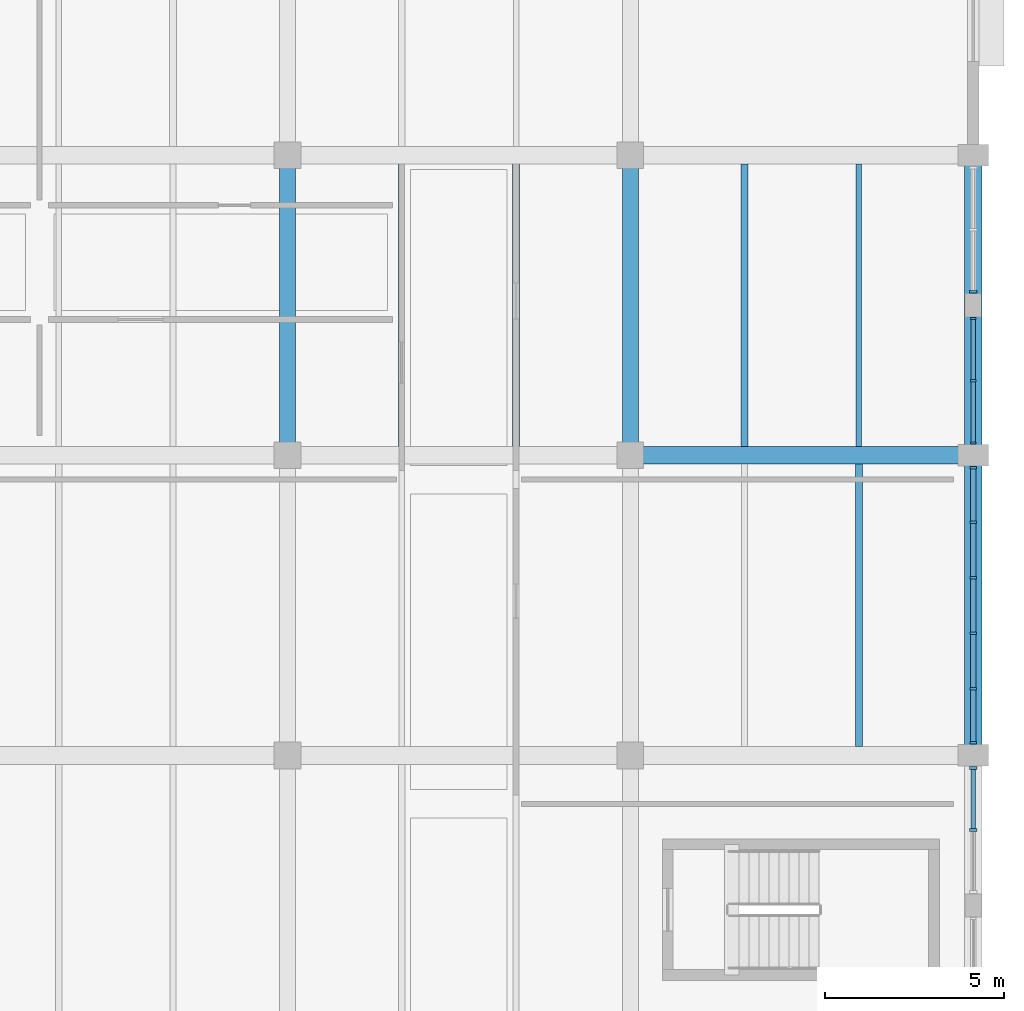
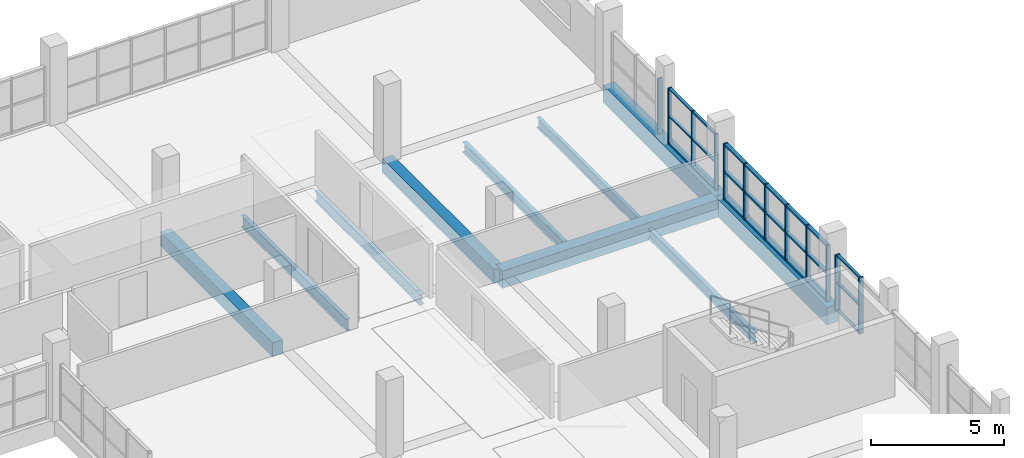
# One storey, part 71 of 147: 36 members, 10 beams, 4 elements without a shape of their own.
"""IFC4 building model written with IfcOpenShell, lengths in metres."""

from ifc_helpers import new_model, si_unit, direction, frame, origin, origin_2d, place, context, subcontext, project, spatial, rectangle, i_section, extrude, material, material_profile, profile_set, type_object, element, aggregate, save


model = new_model("IFC4")

# Units and contexts
model_context = context("Model", 3, precision=1e-05, world=origin(), true_north=direction((0.0, 1.0)))
body_context = subcontext(model_context, "Body", "Model", "MODEL_VIEW")
ifc_project = project(units=[si_unit("LENGTHUNIT", "METRE"), si_unit("AREAUNIT", "SQUARE_METRE"), si_unit("VOLUMEUNIT", "CUBIC_METRE"), si_unit("PLANEANGLEUNIT", "RADIAN"), si_unit("MASSUNIT", "GRAM", prefix="KILO")], contexts=[model_context])

# Site, building, storey
site_placement = place(None, origin())
site = spatial("IfcSite", under=ifc_project, at=site_placement, CompositionType="ELEMENT")
building_placement = place(site_placement, origin())
building = spatial("IfcBuilding", under=site, at=building_placement, Name="Oolite Switchyard Hospital", CompositionType="ELEMENT")
storey_placement = place(building_placement, frame((0.0, 0.0, 9.89990234375)))
storey = spatial("IfcBuildingStorey", under=building, at=storey_placement, Name="L02", CompositionType="ELEMENT", Elevation=9.89990234375)

# Beams
ifc_material_1 = material(Name="Concrete C40/50", Category="concrete")
ifc_material_profile_1 = material_profile(ifc_material_1, rectangle(XDim=0.449951171875, YDim=0.64990234375, at=origin_2d()), Name="RCB450X650")
ifc_profile_set_1 = profile_set([ifc_material_profile_1], Name="Concrete C40/50")
beam_type_1 = type_object("IfcBeamType", Name="BM-RC450X650", PredefinedType="BEAM", material=ifc_profile_set_1)
for number, where, z_axis, x_axis, name in (
    (1, (192.0, 58.800048828125, -0.324951171875), (0.0, 1.0, 0.0), (-1.0, 0.0, 0.0), "L02 Y-Girder 1485"),
    (2, (201.60009765625, 58.800048828125, -0.324951171875), (0.0, 1.0, 0.0), (-1.0, 0.0, 0.0), "L02 Y-Girder 1497"),
):
    element("IfcBeam", number, at=place(storey_placement, frame(where, z_axis=z_axis, x_axis=x_axis)), inside=storey, type_object=beam_type_1, Name=name, PredefinedType="BEAM", context=body_context, shape_type="SweptSolid", body=[
        extrude(rectangle(XDim=0.449951171875, YDim=0.64990234375, at=origin_2d()), origin(), (0.0, 0.0, 1.0), 8.39990234375),
    ])
ifc_material_profile_2 = material_profile(ifc_material_1, rectangle(XDim=0.5, YDim=0.800048828125, at=origin_2d()), Name="RCB500X800")
ifc_profile_set_2 = profile_set([ifc_material_profile_2], Name="Concrete C40/50")
beam_type_2 = type_object("IfcBeamType", Name="BM-RC500X800", PredefinedType="BEAM", material=ifc_profile_set_2)
beam_1_placement = place(storey_placement, frame((201.60009765625, 58.800048828125, -0.39990234375), z_axis=(1.0, 0.0, 0.0), x_axis=(0.0, 1.0, 0.0)))
element("IfcBeam", 3, at=beam_1_placement, inside=storey, type_object=beam_type_2, Name="L02 X-Girder 1093", PredefinedType="BEAM", context=body_context, shape_type="SweptSolid", body=[
    extrude(rectangle(XDim=0.5, YDim=0.800048828125, at=origin_2d()), origin(), (0.0, 0.0, 1.0), 9.599853515625),
])
beam_2_placement = place(storey_placement, frame((211.199951171875, 50.39990234375, -0.39990234375), z_axis=(0.0, 1.0, 0.0), x_axis=(-1.0, 0.0, 0.0)))
element("IfcBeam", 4, at=beam_2_placement, inside=storey, type_object=beam_type_2, Name="L02 Y-Girder 1506", PredefinedType="BEAM", context=body_context, shape_type="SweptSolid", body=[
    extrude(rectangle(XDim=0.5, YDim=0.800048828125, at=origin_2d()), origin(), (0.0, 0.0, 1.0), 8.400146484375),
])
beam_3_placement = place(storey_placement, frame((211.199951171875, 58.800048828125, -0.39990234375), z_axis=(0.0, 1.0, 0.0), x_axis=(-1.0, 0.0, 0.0)))
element("IfcBeam", 5, at=beam_3_placement, inside=storey, type_object=beam_type_2, Name="L02 Y-Girder 1507", PredefinedType="BEAM", context=body_context, shape_type="SweptSolid", body=[
    extrude(rectangle(XDim=0.5, YDim=0.800048828125, at=origin_2d()), origin(), (0.0, 0.0, 1.0), 8.39990234375),
])
ifc_material_2 = material(Name="Steel ASTM A992 Grade 50", Category="steel")
ifc_material_profile_3 = material_profile(ifc_material_2, i_section(OverallWidth=0.153076171875, OverallDepth=0.455078125, WebThickness=0.008056640625, FlangeThickness=0.012939453125, at=origin_2d()), Name="W18X40")
ifc_profile_set_3 = profile_set([ifc_material_profile_3], Name="Steel ASTM A992 Grade 50")
beam_type_3 = type_object("IfcBeamType", Name="BM-W18X40", PredefinedType="JOIST", material=ifc_profile_set_3)
beam_4_placement = place(storey_placement, frame((208.0, 59.050048828125, -0.48681640625), z_axis=(0.0, 1.0, 0.0), x_axis=(-1.0, 0.0, 0.0)))
element("IfcBeam", 6, at=beam_4_placement, inside=storey, type_object=beam_type_3, Name="L02 Secondary Steel Joist 1917", PredefinedType="JOIST", context=body_context, shape_type="SweptSolid", body=[
    extrude(i_section(OverallWidth=0.153076171875, OverallDepth=0.455078125, WebThickness=0.008056640625, FlangeThickness=0.012939453125, at=origin_2d()), origin(), (0.0, 0.0, 1.0), 7.89990234375),
])
ifc_material_profile_4 = material_profile(ifc_material_2, i_section(OverallWidth=0.19091796875, OverallDepth=0.4599609375, WebThickness=0.010009765625, FlangeThickness=0.01611328125, at=origin_2d()), Name="W18X55")
ifc_profile_set_4 = profile_set([ifc_material_profile_4], Name="Steel ASTM A992 Grade 50")
beam_type_4 = type_object("IfcBeamType", Name="BM-W18X55", PredefinedType="JOIST", material=ifc_profile_set_4)
beam_5_placement = place(storey_placement, frame((198.39990234375, 59.050048828125, -0.489990234375), z_axis=(0.0, 1.0, 0.0), x_axis=(-1.0, 0.0, 0.0)))
element("IfcBeam", 7, at=beam_5_placement, inside=storey, type_object=beam_type_4, Name="L02 Secondary Steel Joist 1901", PredefinedType="JOIST", context=body_context, shape_type="SweptSolid", body=[
    extrude(i_section(OverallWidth=0.19091796875, OverallDepth=0.4599609375, WebThickness=0.010009765625, FlangeThickness=0.01611328125, at=origin_2d()), origin(), (0.0, 0.0, 1.0), 7.89990234375),
])
beam_6_placement = place(storey_placement, frame((208.0, 50.64990234375, -0.489990234375), z_axis=(0.0, 1.0, 0.0), x_axis=(-1.0, 0.0, 0.0)))
element("IfcBeam", 8, at=beam_6_placement, inside=storey, type_object=beam_type_4, Name="L02 Secondary Steel Joist 1915", PredefinedType="JOIST", context=body_context, shape_type="SweptSolid", body=[
    extrude(i_section(OverallWidth=0.19091796875, OverallDepth=0.4599609375, WebThickness=0.010009765625, FlangeThickness=0.01611328125, at=origin_2d()), origin(), (0.0, 0.0, 1.0), 7.900146484375),
])
beam_7_placement = place(storey_placement, frame((204.800048828125, 59.050048828125, -0.489990234375), z_axis=(0.0, 1.0, 0.0), x_axis=(-1.0, 0.0, 0.0)))
element("IfcBeam", 9, at=beam_7_placement, inside=storey, type_object=beam_type_4, Name="L02 Secondary Steel Joist 1916", PredefinedType="JOIST", context=body_context, shape_type="SweptSolid", body=[
    extrude(i_section(OverallWidth=0.19091796875, OverallDepth=0.4599609375, WebThickness=0.010009765625, FlangeThickness=0.01611328125, at=origin_2d()), origin(), (0.0, 0.0, 1.0), 7.89990234375),
])
ifc_material_profile_5 = material_profile(ifc_material_2, i_section(OverallWidth=0.166015625, OverallDepth=0.529052734375, WebThickness=0.010009765625, FlangeThickness=0.013916015625, at=origin_2d()), Name="W21X50")
ifc_profile_set_5 = profile_set([ifc_material_profile_5], Name="Steel ASTM A992 Grade 50")
beam_type_5 = type_object("IfcBeamType", Name="BM-W21X50", PredefinedType="JOIST", material=ifc_profile_set_5)
beam_8_placement = place(storey_placement, frame((195.199951171875, 59.050048828125, -0.52392578125), z_axis=(0.0, 1.0, 0.0), x_axis=(-1.0, 0.0, 0.0)))
element("IfcBeam", 10, at=beam_8_placement, inside=storey, type_object=beam_type_5, Name="L02 Secondary Steel Joist 1900", PredefinedType="JOIST", context=body_context, shape_type="SweptSolid", body=[
    extrude(i_section(OverallWidth=0.166015625, OverallDepth=0.529052734375, WebThickness=0.010009765625, FlangeThickness=0.013916015625, at=origin_2d()), origin(), (0.0, 0.0, 1.0), 7.89990234375),
])

# Curtain wall, members
ifc_material_3 = material(Name="Thermally broken aluminum frame with laminated impact glazing", Category="aluminium")
curtain_wall_type = type_object("IfcCurtainWallType", Name="CW-UNIT-84X36", PredefinedType="USERDEFINED", material=ifc_material_3)
curtain_wall_1_placement = place(storey_placement, origin())
curtain_wall_1 = element("IfcCurtainWall", 11, at=curtain_wall_1_placement, inside=storey, type_object=curtain_wall_type, Name="L02 Unitised Curtain Wall 316", ObjectType="UNITISED", PredefinedType="USERDEFINED")
ifc_material_4 = material(Name="Aluminium 6063-T6", Category="aluminium")
ifc_material_profile_6 = material_profile(ifc_material_4, rectangle(XDim=0.159912109375, YDim=0.06005859375, at=origin_2d()), Name="CWM60X160")
ifc_profile_set_6 = profile_set([ifc_material_profile_6], Name="Aluminium 6063-T6")
member_type_1 = type_object("IfcMemberType", Name="CW-MUL-180", PredefinedType="MULLION", material=ifc_profile_set_6)
member_1_placement = place(storey_placement, frame((211.199951171875, 62.6298828125, 0.0), z_axis=(0.0, 0.0, 1.0), x_axis=(1.0, 0.0, 0.0)))
member_1 = element("IfcMember", 12, at=member_1_placement, type_object=member_type_1, Name="CW-08 mullion 1", PredefinedType="MULLION", context=body_context, shape_type="SweptSolid", body=[
    extrude(rectangle(XDim=0.159912109375, YDim=0.06005859375, at=origin_2d()), origin(), (0.0, 0.0, 1.0), 2.570068359375),
])
member_2_placement = place(storey_placement, frame((211.199951171875, 60.887451171875, 0.0), z_axis=(0.0, 0.0, 1.0), x_axis=(1.0, 0.0, 0.0)))
member_2 = element("IfcMember", 13, at=member_2_placement, type_object=member_type_1, Name="CW-08 mullion 2", PredefinedType="MULLION", context=body_context, shape_type="SweptSolid", body=[
    extrude(rectangle(XDim=0.159912109375, YDim=0.06005859375, at=origin_2d()), origin(), (0.0, 0.0, 1.0), 2.570068359375),
])
member_3_placement = place(storey_placement, frame((211.199951171875, 59.14501953125, 0.0), z_axis=(0.0, 0.0, 1.0), x_axis=(1.0, 0.0, 0.0)))
member_3 = element("IfcMember", 14, at=member_3_placement, type_object=member_type_1, Name="CW-08 mullion 3", PredefinedType="MULLION", context=body_context, shape_type="SweptSolid", body=[
    extrude(rectangle(XDim=0.159912109375, YDim=0.06005859375, at=origin_2d()), origin(), (0.0, 0.0, 1.0), 2.570068359375),
])

curtain_wall_2_placement = place(storey_placement, origin())
curtain_wall_2 = element("IfcCurtainWall", 15, at=curtain_wall_2_placement, inside=storey, type_object=curtain_wall_type, Name="L02 Unitised Curtain Wall 317", ObjectType="UNITISED", PredefinedType="USERDEFINED")
ifc_material_profile_7 = material_profile(ifc_material_4, rectangle(XDim=0.179931640625, YDim=0.070068359375, at=origin_2d()), Name="CWM70X180")
ifc_profile_set_7 = profile_set([ifc_material_profile_7], Name="Aluminium 6063-T6")
member_type_2 = type_object("IfcMemberType", Name="CW-MUL-220", PredefinedType="MULLION", material=ifc_profile_set_7)
member_4_placement = place(storey_placement, frame((211.199951171875, 58.449951171875, 0.0), z_axis=(0.0, 0.0, 1.0), x_axis=(1.0, 0.0, 0.0)))
member_4 = element("IfcMember", 16, at=member_4_placement, type_object=member_type_2, Name="CW-08 mullion 1", PredefinedType="MULLION", context=body_context, shape_type="SweptSolid", body=[
    extrude(rectangle(XDim=0.179931640625, YDim=0.070068359375, at=origin_2d()), origin(), (0.0, 0.0, 1.0), 2.570068359375),
])
member_5_placement = place(storey_placement, frame((211.199951171875, 56.930908203125, 0.0), z_axis=(0.0, 0.0, 1.0), x_axis=(1.0, 0.0, 0.0)))
member_5 = element("IfcMember", 17, at=member_5_placement, type_object=member_type_2, Name="CW-08 mullion 2", PredefinedType="MULLION", context=body_context, shape_type="SweptSolid", body=[
    extrude(rectangle(XDim=0.179931640625, YDim=0.070068359375, at=origin_2d()), origin(), (0.0, 0.0, 1.0), 2.570068359375),
])
member_6_placement = place(storey_placement, frame((211.199951171875, 55.376953125, 0.0), z_axis=(0.0, 0.0, 1.0), x_axis=(1.0, 0.0, 0.0)))
member_6 = element("IfcMember", 18, at=member_6_placement, type_object=member_type_2, Name="CW-08 mullion 3", PredefinedType="MULLION", context=body_context, shape_type="SweptSolid", body=[
    extrude(rectangle(XDim=0.179931640625, YDim=0.070068359375, at=origin_2d()), origin(), (0.0, 0.0, 1.0), 2.570068359375),
])
member_7_placement = place(storey_placement, frame((211.199951171875, 53.822998046875, 0.0), z_axis=(0.0, 0.0, 1.0), x_axis=(1.0, 0.0, 0.0)))
member_7 = element("IfcMember", 19, at=member_7_placement, type_object=member_type_2, Name="CW-08 mullion 4", PredefinedType="MULLION", context=body_context, shape_type="SweptSolid", body=[
    extrude(rectangle(XDim=0.179931640625, YDim=0.070068359375, at=origin_2d()), origin(), (0.0, 0.0, 1.0), 2.570068359375),
])
member_8_placement = place(storey_placement, frame((211.199951171875, 52.26904296875, 0.0), z_axis=(0.0, 0.0, 1.0), x_axis=(1.0, 0.0, 0.0)))
member_8 = element("IfcMember", 20, at=member_8_placement, type_object=member_type_2, Name="CW-08 mullion 5", PredefinedType="MULLION", context=body_context, shape_type="SweptSolid", body=[
    extrude(rectangle(XDim=0.179931640625, YDim=0.070068359375, at=origin_2d()), origin(), (0.0, 0.0, 1.0), 2.570068359375),
])
member_9_placement = place(storey_placement, frame((211.199951171875, 50.75, 0.0), z_axis=(0.0, 0.0, 1.0), x_axis=(1.0, 0.0, 0.0)))
member_9 = element("IfcMember", 21, at=member_9_placement, type_object=member_type_2, Name="CW-08 mullion 6", PredefinedType="MULLION", context=body_context, shape_type="SweptSolid", body=[
    extrude(rectangle(XDim=0.179931640625, YDim=0.070068359375, at=origin_2d()), origin(), (0.0, 0.0, 1.0), 2.570068359375),
])

# Curtain wall, member
curtain_wall_3_placement = place(storey_placement, origin())
curtain_wall_3 = element("IfcCurtainWall", 22, at=curtain_wall_3_placement, inside=storey, type_object=curtain_wall_type, Name="L02 Unitised Curtain Wall 315", ObjectType="UNITISED", PredefinedType="USERDEFINED")
ifc_material_profile_8 = material_profile(ifc_material_4, rectangle(XDim=0.199951171875, YDim=0.074951171875, at=origin_2d()), Name="CWM75X200")
ifc_profile_set_8 = profile_set([ifc_material_profile_8], Name="Aluminium 6063-T6")
member_type_3 = type_object("IfcMemberType", Name="CW-MUL-260", PredefinedType="MULLION", material=ifc_profile_set_8)
member_10_placement = place(storey_placement, frame((211.199951171875, 63.37744140625, 0.0), z_axis=(0.0, 0.0, 1.0), x_axis=(1.0, 0.0, 0.0)))
member_10 = element("IfcMember", 23, at=member_10_placement, type_object=member_type_3, Name="CW-08 mullion 3", PredefinedType="MULLION", context=body_context, shape_type="SweptSolid", body=[
    extrude(rectangle(XDim=0.199951171875, YDim=0.074951171875, at=origin_2d()), origin(), (0.0, 0.0, 1.0), 2.570068359375),
])
aggregate(curtain_wall_3, [member_10])

# Curtain wall, members
curtain_wall_4_placement = place(storey_placement, origin())
curtain_wall_4 = element("IfcCurtainWall", 24, at=curtain_wall_4_placement, inside=storey, type_object=curtain_wall_type, Name="L02 Unitised Curtain Wall 318", ObjectType="UNITISED", PredefinedType="USERDEFINED")
member_11_placement = place(storey_placement, frame((211.199951171875, 50.047607421875, 0.0), z_axis=(0.0, 0.0, 1.0), x_axis=(1.0, 0.0, 0.0)))
member_11 = element("IfcMember", 25, at=member_11_placement, type_object=member_type_3, Name="CW-08 mullion 1", PredefinedType="MULLION", context=body_context, shape_type="SweptSolid", body=[
    extrude(rectangle(XDim=0.199951171875, YDim=0.074951171875, at=origin_2d()), origin(), (0.0, 0.0, 1.0), 2.570068359375),
])
member_12_placement = place(storey_placement, frame((211.199951171875, 48.3125, 0.0), z_axis=(0.0, 0.0, 1.0), x_axis=(1.0, 0.0, 0.0)))
member_12 = element("IfcMember", 26, at=member_12_placement, type_object=member_type_3, Name="CW-08 mullion 2", PredefinedType="MULLION", context=body_context, shape_type="SweptSolid", body=[
    extrude(rectangle(XDim=0.199951171875, YDim=0.074951171875, at=origin_2d()), origin(), (0.0, 0.0, 1.0), 2.570068359375),
])

# Member
ifc_material_profile_9 = material_profile(ifc_material_4, rectangle(XDim=0.1201171875, YDim=0.06005859375, at=origin_2d()), Name="CWT60X120")
ifc_profile_set_9 = profile_set([ifc_material_profile_9], Name="Aluminium 6063-T6")
member_type_4 = type_object("IfcMemberType", Name="CW-TRN-150", PredefinedType="USERDEFINED", material=ifc_profile_set_9)
member_13_placement = place(storey_placement, frame((211.199951171875, 62.60009765625, 0.030029296875), z_axis=(0.0, -1.0, 0.0), x_axis=(1.0, 0.0, 0.0)))
member_13 = element("IfcMember", 27, at=member_13_placement, type_object=member_type_4, Name="CW-08 transom 1.1", ObjectType="TRANSOM", PredefinedType="USERDEFINED", context=body_context, shape_type="SweptSolid", body=[
    extrude(rectangle(XDim=0.1201171875, YDim=0.06005859375, at=origin_2d()), origin(), (0.0, 0.0, 1.0), 1.6826171875),
])

member_14_placement = place(storey_placement, frame((211.199951171875, 62.60009765625, 1.28515625), z_axis=(0.0, -1.0, 0.0), x_axis=(1.0, 0.0, 0.0)))
member_14 = element("IfcMember", 28, at=member_14_placement, type_object=member_type_4, Name="CW-08 transom 1.2", ObjectType="TRANSOM", PredefinedType="USERDEFINED", context=body_context, shape_type="SweptSolid", body=[
    extrude(rectangle(XDim=0.1201171875, YDim=0.06005859375, at=origin_2d()), origin(), (0.0, 0.0, 1.0), 1.6826171875),
])

member_15_placement = place(storey_placement, frame((211.199951171875, 62.60009765625, 2.5400390625), z_axis=(0.0, -1.0, 0.0), x_axis=(1.0, 0.0, 0.0)))
member_15 = element("IfcMember", 29, at=member_15_placement, type_object=member_type_4, Name="CW-08 transom 1.3", ObjectType="TRANSOM", PredefinedType="USERDEFINED", context=body_context, shape_type="SweptSolid", body=[
    extrude(rectangle(XDim=0.1201171875, YDim=0.06005859375, at=origin_2d()), origin(), (0.0, 0.0, 1.0), 1.6826171875),
])

member_16_placement = place(storey_placement, frame((211.199951171875, 60.857421875, 0.030029296875), z_axis=(0.0, -1.0, 0.0), x_axis=(1.0, 0.0, 0.0)))
member_16 = element("IfcMember", 30, at=member_16_placement, type_object=member_type_4, Name="CW-08 transom 2.1", ObjectType="TRANSOM", PredefinedType="USERDEFINED", context=body_context, shape_type="SweptSolid", body=[
    extrude(rectangle(XDim=0.1201171875, YDim=0.06005859375, at=origin_2d()), origin(), (0.0, 0.0, 1.0), 1.682373046875),
])

member_17_placement = place(storey_placement, frame((211.199951171875, 60.857421875, 1.28515625), z_axis=(0.0, -1.0, 0.0), x_axis=(1.0, 0.0, 0.0)))
member_17 = element("IfcMember", 31, at=member_17_placement, type_object=member_type_4, Name="CW-08 transom 2.2", ObjectType="TRANSOM", PredefinedType="USERDEFINED", context=body_context, shape_type="SweptSolid", body=[
    extrude(rectangle(XDim=0.1201171875, YDim=0.06005859375, at=origin_2d()), origin(), (0.0, 0.0, 1.0), 1.682373046875),
])

member_18_placement = place(storey_placement, frame((211.199951171875, 60.857421875, 2.5400390625), z_axis=(0.0, -1.0, 0.0), x_axis=(1.0, 0.0, 0.0)))
member_18 = element("IfcMember", 32, at=member_18_placement, type_object=member_type_4, Name="CW-08 transom 2.3", ObjectType="TRANSOM", PredefinedType="USERDEFINED", context=body_context, shape_type="SweptSolid", body=[
    extrude(rectangle(XDim=0.1201171875, YDim=0.06005859375, at=origin_2d()), origin(), (0.0, 0.0, 1.0), 1.682373046875),
])

aggregate(curtain_wall_1, [member_1, member_2, member_3, member_13, member_14, member_15, member_16, member_17, member_18])

member_19_placement = place(storey_placement, frame((211.199951171875, 50.010009765625, 0.030029296875), z_axis=(0.0, -1.0, 0.0), x_axis=(1.0, 0.0, 0.0)))
member_19 = element("IfcMember", 33, at=member_19_placement, type_object=member_type_4, Name="CW-08 transom 1.1", ObjectType="TRANSOM", PredefinedType="USERDEFINED", context=body_context, shape_type="SweptSolid", body=[
    extrude(rectangle(XDim=0.1201171875, YDim=0.06005859375, at=origin_2d()), origin(), (0.0, 0.0, 1.0), 1.659912109375),
])

member_20_placement = place(storey_placement, frame((211.199951171875, 50.010009765625, 1.28515625), z_axis=(0.0, -1.0, 0.0), x_axis=(1.0, 0.0, 0.0)))
member_20 = element("IfcMember", 34, at=member_20_placement, type_object=member_type_4, Name="CW-08 transom 1.2", ObjectType="TRANSOM", PredefinedType="USERDEFINED", context=body_context, shape_type="SweptSolid", body=[
    extrude(rectangle(XDim=0.1201171875, YDim=0.06005859375, at=origin_2d()), origin(), (0.0, 0.0, 1.0), 1.659912109375),
])

member_21_placement = place(storey_placement, frame((211.199951171875, 50.010009765625, 2.5400390625), z_axis=(0.0, -1.0, 0.0), x_axis=(1.0, 0.0, 0.0)))
member_21 = element("IfcMember", 35, at=member_21_placement, type_object=member_type_4, Name="CW-08 transom 1.3", ObjectType="TRANSOM", PredefinedType="USERDEFINED", context=body_context, shape_type="SweptSolid", body=[
    extrude(rectangle(XDim=0.1201171875, YDim=0.06005859375, at=origin_2d()), origin(), (0.0, 0.0, 1.0), 1.659912109375),
])

aggregate(curtain_wall_4, [member_11, member_12, member_19, member_20, member_21])

ifc_material_profile_10 = material_profile(ifc_material_4, rectangle(XDim=0.159912109375, YDim=0.074951171875, at=origin_2d()), Name="CWT75X160")
ifc_profile_set_10 = profile_set([ifc_material_profile_10], Name="Aluminium 6063-T6")
member_type_5 = type_object("IfcMemberType", Name="CW-TRN-180", PredefinedType="USERDEFINED", material=ifc_profile_set_10)
member_22_placement = place(storey_placement, frame((211.199951171875, 58.4150390625, 0.03759765625), z_axis=(0.0, -1.0, 0.0), x_axis=(1.0, 0.0, 0.0)))
member_22 = element("IfcMember", 36, at=member_22_placement, type_object=member_type_5, Name="CW-08 transom 1.1", ObjectType="TRANSOM", PredefinedType="USERDEFINED", context=body_context, shape_type="SweptSolid", body=[
    extrude(rectangle(XDim=0.159912109375, YDim=0.074951171875, at=origin_2d()), origin(), (0.0, 0.0, 1.0), 1.448974609375),
])

member_23_placement = place(storey_placement, frame((211.199951171875, 58.4150390625, 1.28515625), z_axis=(0.0, -1.0, 0.0), x_axis=(1.0, 0.0, 0.0)))
member_23 = element("IfcMember", 37, at=member_23_placement, type_object=member_type_5, Name="CW-08 transom 1.2", ObjectType="TRANSOM", PredefinedType="USERDEFINED", context=body_context, shape_type="SweptSolid", body=[
    extrude(rectangle(XDim=0.159912109375, YDim=0.074951171875, at=origin_2d()), origin(), (0.0, 0.0, 1.0), 1.448974609375),
])

member_24_placement = place(storey_placement, frame((211.199951171875, 58.4150390625, 2.53271484375), z_axis=(0.0, -1.0, 0.0), x_axis=(1.0, 0.0, 0.0)))
member_24 = element("IfcMember", 38, at=member_24_placement, type_object=member_type_5, Name="CW-08 transom 1.3", ObjectType="TRANSOM", PredefinedType="USERDEFINED", context=body_context, shape_type="SweptSolid", body=[
    extrude(rectangle(XDim=0.159912109375, YDim=0.074951171875, at=origin_2d()), origin(), (0.0, 0.0, 1.0), 1.448974609375),
])

member_25_placement = place(storey_placement, frame((211.199951171875, 56.89599609375, 0.03759765625), z_axis=(0.0, -1.0, 0.0), x_axis=(1.0, 0.0, 0.0)))
member_25 = element("IfcMember", 39, at=member_25_placement, type_object=member_type_5, Name="CW-08 transom 2.1", ObjectType="TRANSOM", PredefinedType="USERDEFINED", context=body_context, shape_type="SweptSolid", body=[
    extrude(rectangle(XDim=0.159912109375, YDim=0.074951171875, at=origin_2d()), origin(), (0.0, 0.0, 1.0), 1.48388671875),
])

member_26_placement = place(storey_placement, frame((211.199951171875, 56.89599609375, 1.28515625), z_axis=(0.0, -1.0, 0.0), x_axis=(1.0, 0.0, 0.0)))
member_26 = element("IfcMember", 40, at=member_26_placement, type_object=member_type_5, Name="CW-08 transom 2.2", ObjectType="TRANSOM", PredefinedType="USERDEFINED", context=body_context, shape_type="SweptSolid", body=[
    extrude(rectangle(XDim=0.159912109375, YDim=0.074951171875, at=origin_2d()), origin(), (0.0, 0.0, 1.0), 1.48388671875),
])

member_27_placement = place(storey_placement, frame((211.199951171875, 56.89599609375, 2.53271484375), z_axis=(0.0, -1.0, 0.0), x_axis=(1.0, 0.0, 0.0)))
member_27 = element("IfcMember", 41, at=member_27_placement, type_object=member_type_5, Name="CW-08 transom 2.3", ObjectType="TRANSOM", PredefinedType="USERDEFINED", context=body_context, shape_type="SweptSolid", body=[
    extrude(rectangle(XDim=0.159912109375, YDim=0.074951171875, at=origin_2d()), origin(), (0.0, 0.0, 1.0), 1.48388671875),
])

member_28_placement = place(storey_placement, frame((211.199951171875, 55.342041015625, 0.03759765625), z_axis=(0.0, -1.0, 0.0), x_axis=(1.0, 0.0, 0.0)))
member_28 = element("IfcMember", 42, at=member_28_placement, type_object=member_type_5, Name="CW-08 transom 3.1", ObjectType="TRANSOM", PredefinedType="USERDEFINED", context=body_context, shape_type="SweptSolid", body=[
    extrude(rectangle(XDim=0.159912109375, YDim=0.074951171875, at=origin_2d()), origin(), (0.0, 0.0, 1.0), 1.484130859375),
])

member_29_placement = place(storey_placement, frame((211.199951171875, 55.342041015625, 1.28515625), z_axis=(0.0, -1.0, 0.0), x_axis=(1.0, 0.0, 0.0)))
member_29 = element("IfcMember", 43, at=member_29_placement, type_object=member_type_5, Name="CW-08 transom 3.2", ObjectType="TRANSOM", PredefinedType="USERDEFINED", context=body_context, shape_type="SweptSolid", body=[
    extrude(rectangle(XDim=0.159912109375, YDim=0.074951171875, at=origin_2d()), origin(), (0.0, 0.0, 1.0), 1.484130859375),
])

member_30_placement = place(storey_placement, frame((211.199951171875, 55.342041015625, 2.53271484375), z_axis=(0.0, -1.0, 0.0), x_axis=(1.0, 0.0, 0.0)))
member_30 = element("IfcMember", 44, at=member_30_placement, type_object=member_type_5, Name="CW-08 transom 3.3", ObjectType="TRANSOM", PredefinedType="USERDEFINED", context=body_context, shape_type="SweptSolid", body=[
    extrude(rectangle(XDim=0.159912109375, YDim=0.074951171875, at=origin_2d()), origin(), (0.0, 0.0, 1.0), 1.484130859375),
])

member_31_placement = place(storey_placement, frame((211.199951171875, 53.7880859375, 0.03759765625), z_axis=(0.0, -1.0, 0.0), x_axis=(1.0, 0.0, 0.0)))
member_31 = element("IfcMember", 45, at=member_31_placement, type_object=member_type_5, Name="CW-08 transom 4.1", ObjectType="TRANSOM", PredefinedType="USERDEFINED", context=body_context, shape_type="SweptSolid", body=[
    extrude(rectangle(XDim=0.159912109375, YDim=0.074951171875, at=origin_2d()), origin(), (0.0, 0.0, 1.0), 1.484130859375),
])

member_32_placement = place(storey_placement, frame((211.199951171875, 53.7880859375, 1.28515625), z_axis=(0.0, -1.0, 0.0), x_axis=(1.0, 0.0, 0.0)))
member_32 = element("IfcMember", 46, at=member_32_placement, type_object=member_type_5, Name="CW-08 transom 4.2", ObjectType="TRANSOM", PredefinedType="USERDEFINED", context=body_context, shape_type="SweptSolid", body=[
    extrude(rectangle(XDim=0.159912109375, YDim=0.074951171875, at=origin_2d()), origin(), (0.0, 0.0, 1.0), 1.484130859375),
])

member_33_placement = place(storey_placement, frame((211.199951171875, 53.7880859375, 2.53271484375), z_axis=(0.0, -1.0, 0.0), x_axis=(1.0, 0.0, 0.0)))
member_33 = element("IfcMember", 47, at=member_33_placement, type_object=member_type_5, Name="CW-08 transom 4.3", ObjectType="TRANSOM", PredefinedType="USERDEFINED", context=body_context, shape_type="SweptSolid", body=[
    extrude(rectangle(XDim=0.159912109375, YDim=0.074951171875, at=origin_2d()), origin(), (0.0, 0.0, 1.0), 1.484130859375),
])

member_34_placement = place(storey_placement, frame((211.199951171875, 52.23388671875, 0.03759765625), z_axis=(0.0, -1.0, 0.0), x_axis=(1.0, 0.0, 0.0)))
member_34 = element("IfcMember", 48, at=member_34_placement, type_object=member_type_5, Name="CW-08 transom 5.1", ObjectType="TRANSOM", PredefinedType="USERDEFINED", context=body_context, shape_type="SweptSolid", body=[
    extrude(rectangle(XDim=0.159912109375, YDim=0.074951171875, at=origin_2d()), origin(), (0.0, 0.0, 1.0), 1.448974609375),
])

member_35_placement = place(storey_placement, frame((211.199951171875, 52.23388671875, 1.28515625), z_axis=(0.0, -1.0, 0.0), x_axis=(1.0, 0.0, 0.0)))
member_35 = element("IfcMember", 49, at=member_35_placement, type_object=member_type_5, Name="CW-08 transom 5.2", ObjectType="TRANSOM", PredefinedType="USERDEFINED", context=body_context, shape_type="SweptSolid", body=[
    extrude(rectangle(XDim=0.159912109375, YDim=0.074951171875, at=origin_2d()), origin(), (0.0, 0.0, 1.0), 1.448974609375),
])

member_36_placement = place(storey_placement, frame((211.199951171875, 52.23388671875, 2.53271484375), z_axis=(0.0, -1.0, 0.0), x_axis=(1.0, 0.0, 0.0)))
member_36 = element("IfcMember", 50, at=member_36_placement, type_object=member_type_5, Name="CW-08 transom 5.3", ObjectType="TRANSOM", PredefinedType="USERDEFINED", context=body_context, shape_type="SweptSolid", body=[
    extrude(rectangle(XDim=0.159912109375, YDim=0.074951171875, at=origin_2d()), origin(), (0.0, 0.0, 1.0), 1.448974609375),
])

aggregate(curtain_wall_2, [member_4, member_5, member_6, member_7, member_8, member_9, member_22, member_23, member_24, member_25, member_26, member_27, member_28, member_29, member_30, member_31, member_32, member_33, member_34, member_35, member_36])

save(model, "model.ifc")
